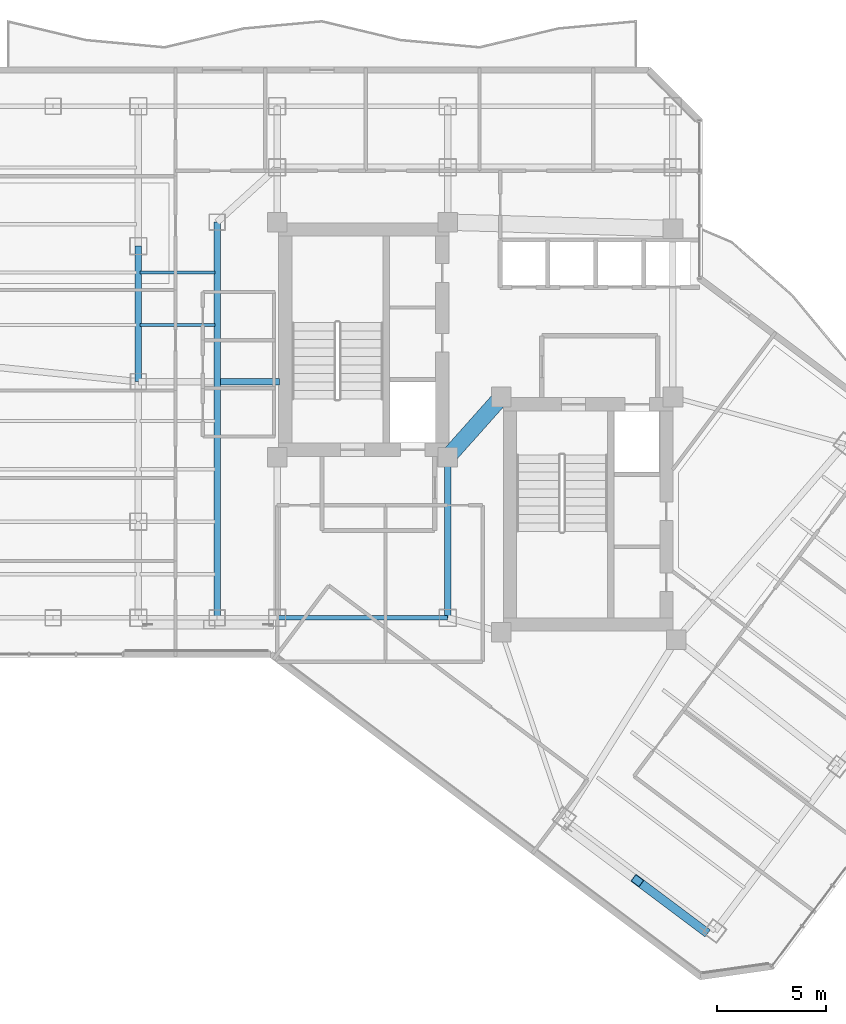
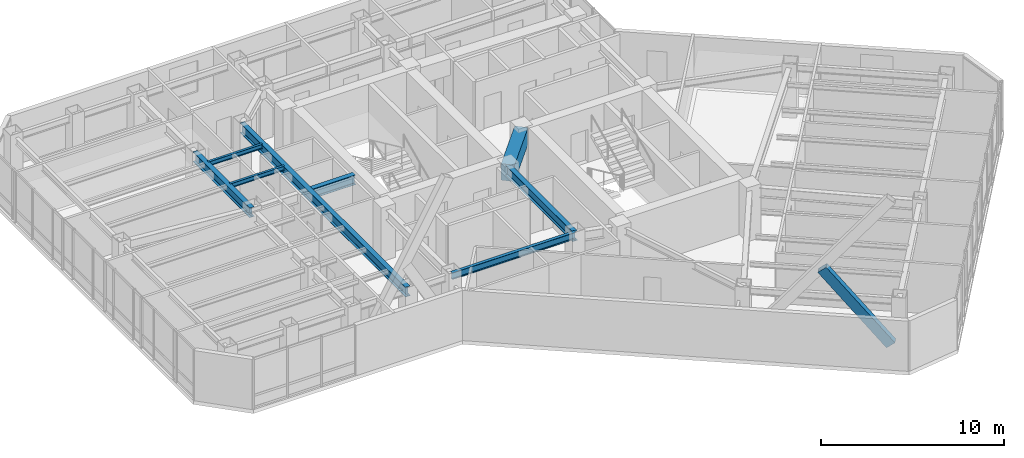
# One storey, part 9 of 27: 8 beams, 1 member.
"""IFC4 building model written with IfcOpenShell, lengths in metres."""

from ifc_helpers import new_model, si_unit, direction, frame, origin, origin_2d, place, context, subcontext, project, spatial, rectangle, hollow_rectangle, i_section, extrude, material, material_profile, profile_set, type_object, element, save


model = new_model("IFC4")

# Units and contexts
model_context = context("Model", 3, precision=1e-05, world=origin(), true_north=direction((0.0, 1.0)))
body_context = subcontext(model_context, "Body", "Model", "MODEL_VIEW")
ifc_project = project(units=[si_unit("LENGTHUNIT", "METRE"), si_unit("AREAUNIT", "SQUARE_METRE"), si_unit("VOLUMEUNIT", "CUBIC_METRE"), si_unit("PLANEANGLEUNIT", "RADIAN"), si_unit("MASSUNIT", "GRAM", prefix="KILO")], contexts=[model_context])

# Site, building, storey
site_placement = place(None, origin())
site = spatial("IfcSite", under=ifc_project, at=site_placement, CompositionType="ELEMENT")
building_placement = place(site_placement, origin())
building = spatial("IfcBuilding", under=site, at=building_placement, Name="Hatsunagi Terrace Concourse", CompositionType="ELEMENT")
storey_placement = place(building_placement, frame((0.0, 0.0, 167.25)))
storey = spatial("IfcBuildingStorey", under=building, at=storey_placement, Name="L44", CompositionType="ELEMENT", Elevation=167.25)

# Beams
ifc_material_1 = material(Name="Concrete Fc48", Category="concrete")
ifc_material_profile_1 = material_profile(ifc_material_1, rectangle(XDim=0.75, YDim=1.10009765625, at=origin_2d()), Name="RC-750x1100")
ifc_profile_set_1 = profile_set([ifc_material_profile_1], Name="Concrete Fc48")
beam_type_1 = type_object("IfcBeamType", Name="CoreCouplingBeam_RC_750x1100", PredefinedType="BEAM", material=ifc_profile_set_1)
beam_1_placement = place(storey_placement, frame((33.35009765625, 32.550048828125, 2.800048828125), z_axis=(0.665198651008, 0.746666427997, 0.0), x_axis=(-0.746666427997, 0.665198651008, 0.0)))
element("IfcBeam", 1, at=beam_1_placement, inside=storey, type_object=beam_type_1, Name="Beam CB-02 CB-L44-1", PredefinedType="BEAM", context=body_context, shape_type="SweptSolid", body=[
    extrude(rectangle(XDim=0.75, YDim=1.10009765625, at=origin_2d()), origin(), (0.0, 0.0, 1.0), 3.68310546875),
])
ifc_material_2 = material(Name="Steel SN490B", Category="steel")
ifc_material_profile_2 = material_profile(ifc_material_2, i_section(OverallWidth=0.14990234375, OverallDepth=0.300048828125, WebThickness=0.006591796875, FlangeThickness=0.009033203125, FilletRadius=0.010986328125, at=origin_2d()), Name="H-300x150x6.5x9")
ifc_profile_set_2 = profile_set([ifc_material_profile_2], Name="Steel SN490B")
beam_type_2 = type_object("IfcBeamType", Name="OfficeJoist_H_300x150", PredefinedType="JOIST", material=ifc_profile_set_2)
for number, where, z_axis, x_axis, name in (
    (2, (19.284912109375, 38.60009765625, 3.199951171875), (1.0, 0.0, 0.0), (0.0, 1.0, 0.0), "Beam J-03 J-L44-W-19-386"),
    (3, (19.284912109375, 41.0, 3.199951171875), (1.0, 0.0, 0.0), (0.0, 1.0, 0.0), "Beam J-03 J-L44-W-19-410"),
):
    element("IfcBeam", number, at=place(storey_placement, frame(where, z_axis=z_axis, x_axis=x_axis)), inside=storey, type_object=beam_type_2, Name=name, PredefinedType="JOIST", context=body_context, shape_type="SweptSolid", body=[
        extrude(i_section(OverallWidth=0.14990234375, OverallDepth=0.300048828125, WebThickness=0.006591796875, FlangeThickness=0.009033203125, FilletRadius=0.010986328125, at=origin_2d()), origin(), (0.0, 0.0, 1.0), 3.43017578125),
    ])
ifc_material_3 = material(Name="Steel SN490B", Category="steel")
ifc_material_profile_3 = material_profile(ifc_material_3, i_section(OverallWidth=0.300048828125, OverallDepth=0.64990234375, WebThickness=0.012939453125, FlangeThickness=0.02197265625, FilletRadius=0.01806640625, at=origin_2d()), Name="H-650x300x13x22")
ifc_profile_set_3 = profile_set([ifc_material_profile_3], Name="Steel SN490B")
beam_type_3 = type_object("IfcBeamType", Name="OfficeLowGirder_H_650x300", PredefinedType="BEAM", material=ifc_profile_set_3)
beam_2_placement = place(storey_placement, frame((33.35009765625, 25.199951171875, 3.02490234375), z_axis=(0.0, 1.0, 0.0), x_axis=(-1.0, 0.0, 0.0)))
element("IfcBeam", 4, at=beam_2_placement, inside=storey, type_object=beam_type_3, Name="Beam G-05 BM-L44-K2CA", PredefinedType="BEAM", context=body_context, shape_type="SweptSolid", body=[
    extrude(i_section(OverallWidth=0.300048828125, OverallDepth=0.64990234375, WebThickness=0.012939453125, FlangeThickness=0.02197265625, FilletRadius=0.01806640625, at=origin_2d()), origin(), (0.0, 0.0, 1.0), 7.35009765625),
])
beam_3_placement = place(storey_placement, frame((22.800048828125, 25.199951171875, 3.02490234375), z_axis=(0.0, 1.0, 0.0), x_axis=(-1.0, 0.0, 0.0)))
element("IfcBeam", 5, at=beam_3_placement, inside=storey, type_object=beam_type_3, Name="Beam G-05 BM-L44-CWNS", PredefinedType="BEAM", context=body_context, shape_type="SweptSolid", body=[
    extrude(i_section(OverallWidth=0.300048828125, OverallDepth=0.64990234375, WebThickness=0.012939453125, FlangeThickness=0.02197265625, FilletRadius=0.01806640625, at=origin_2d()), origin(), (0.0, 0.0, 1.0), 18.10009765625),
])
beam_4_placement = place(storey_placement, frame((19.199951171875, 36.0, 3.02490234375), z_axis=(0.0, 1.0, 0.0), x_axis=(-1.0, 0.0, 0.0)))
element("IfcBeam", 6, at=beam_4_placement, inside=storey, type_object=beam_type_3, Name="Beam G-05 BM-L44-NS-19-36", PredefinedType="BEAM", context=body_context, shape_type="SweptSolid", body=[
    extrude(i_section(OverallWidth=0.300048828125, OverallDepth=0.64990234375, WebThickness=0.012939453125, FlangeThickness=0.02197265625, FilletRadius=0.01806640625, at=origin_2d()), origin(), (0.0, 0.0, 1.0), 6.199951171875),
])
beam_5_placement = place(storey_placement, frame((22.949951171875, 36.0, 3.02490234375), z_axis=(1.0, 0.0, 0.0), x_axis=(0.0, 1.0, 0.0)))
element("IfcBeam", 7, at=beam_5_placement, inside=storey, type_object=beam_type_3, Name="Beam G-05 BM-L44-EW-4", PredefinedType="BEAM", context=body_context, shape_type="SweptSolid", body=[
    extrude(i_section(OverallWidth=0.300048828125, OverallDepth=0.64990234375, WebThickness=0.012939453125, FlangeThickness=0.02197265625, FilletRadius=0.01806640625, at=origin_2d()), origin(), (0.0, 0.0, 1.0), 2.7099609375),
])
ifc_material_4 = material(Name="Steel SN490B", Category="steel")
ifc_material_profile_4 = material_profile(ifc_material_4, i_section(OverallWidth=0.199951171875, OverallDepth=0.449951171875, WebThickness=0.009033203125, FlangeThickness=0.013916015625, FilletRadius=0.01611328125, at=origin_2d()), Name="H-450x200x9x14")
ifc_profile_set_4 = profile_set([ifc_material_profile_4], Name="Steel SN490B")
beam_type_4 = type_object("IfcBeamType", Name="PerimeterSpandrel_H_450x200", PredefinedType="SPANDREL", material=ifc_profile_set_4)
beam_6_placement = place(storey_placement, frame((25.550048828125, 25.199951171875, 3.125), z_axis=(1.0, 0.0, 0.0), x_axis=(0.0, 1.0, 0.0)))
element("IfcBeam", 8, at=beam_6_placement, inside=storey, type_object=beam_type_4, Name="Beam SP-02 BM-L44-WS-25", PredefinedType="SPANDREL", context=body_context, shape_type="SweptSolid", body=[
    extrude(i_section(OverallWidth=0.199951171875, OverallDepth=0.449951171875, WebThickness=0.009033203125, FlangeThickness=0.013916015625, FilletRadius=0.01611328125, at=origin_2d()), origin(), (0.0, 0.0, 1.0), 7.800048828125),
])

# Member
ifc_material_5 = material(Name="Steel SN490B", Category="steel")
ifc_material_profile_5 = material_profile(ifc_material_5, hollow_rectangle(XDim=0.39990234375, YDim=0.60009765625, WallThickness=0.02490234375, at=origin_2d()), Name="RHS-600x400x25")
ifc_profile_set_5 = profile_set([ifc_material_profile_5], Name="Steel SN490B")
member_type = type_object("IfcMemberType", Name="PerimeterXBrace_Mid_RHS_600x400x25", PredefinedType="BRACE", material=ifc_profile_set_5)
member_placement = place(storey_placement, frame((42.02197265625, 13.18310546875, 5.166015625), z_axis=(0.500303112456, -0.375176945261, -0.780345471834), x_axis=(0.599948429102, 0.800038675576, 0.0)))
element("IfcMember", 9, at=member_placement, inside=storey, type_object=member_type, Name="Perimeter X-Brace Split Lower XB-02 XB-L44-SEB2", PredefinedType="BRACE", context=body_context, shape_type="SweptSolid", body=[
    extrude(hollow_rectangle(XDim=0.39990234375, YDim=0.60009765625, WallThickness=0.02490234375, at=origin_2d()), origin(), (0.0, 0.0, 1.0), 6.056396484375),
])

save(model, "model.ifc")
